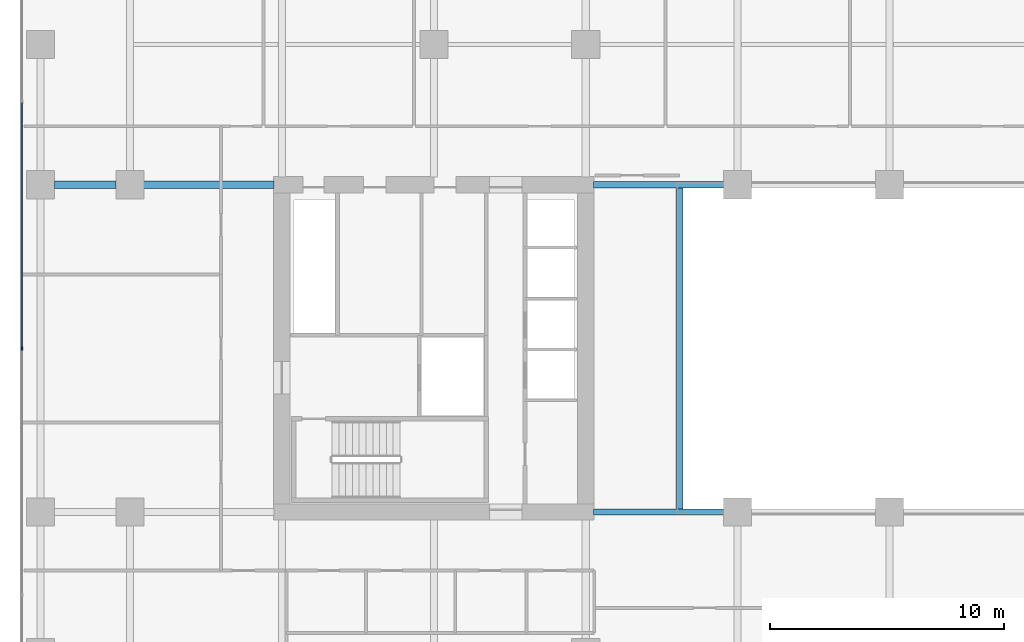
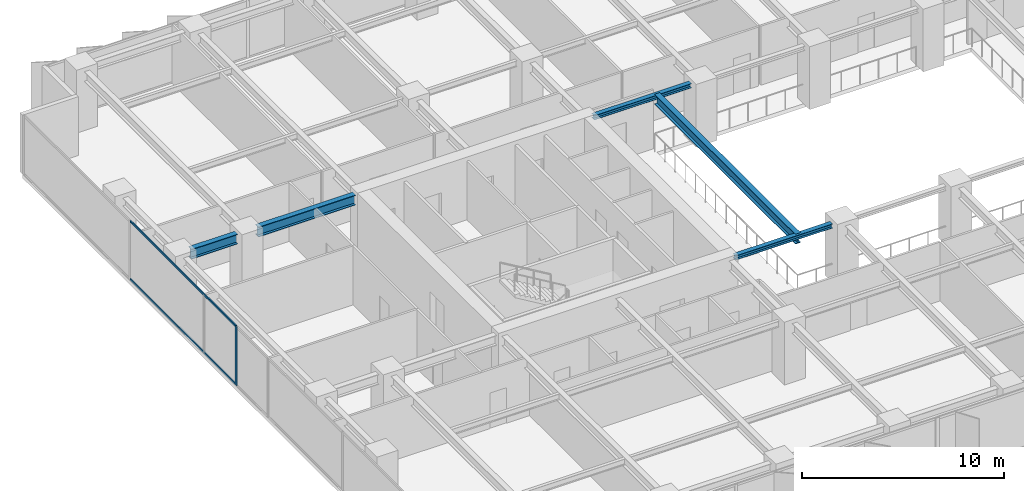
# One storey, part 4 of 20: 5 beams, 3 members, 1 element without a shape of its own.
"""IFC4 building model written with IfcOpenShell, lengths in metres."""

import ifcopenshell
import ifcopenshell.guid

model = None  # the IFC model being written
_history = None  # IfcOwnerHistory: only IFC2X3 demands one
_inside = {}  # id of a spatial element -> (the spatial element, [elements in it])
_under = {}  # id of a project, library or spatial element -> (it, [spatial elements below it])
_declared = {}  # id of a project -> (the project, [libraries it declares])
_typed = {}  # id of a type object -> (the type object, [elements of that type])
_made_of = {}  # id of a material, layer set ... -> (it, [elements and type objects made of it])


def new_model(schema):
    """Start an empty IFC model of exactly this schema.

    Asked for "IFC4X3", IfcOpenShell would pick the latest addendum, in which some entities
    have other attributes; the version numbers below select the first issue.
    IFC2X3 requires an IfcOwnerHistory on every rooted entity: one is made here for all.
    """
    global model, _history
    if schema == "IFC4X3":
        model = ifcopenshell.file(schema_version=(4, 3, 0, 0))
    else:
        model = ifcopenshell.file(schema=schema)
    _inside.clear()
    _under.clear()
    _declared.clear()
    _typed.clear()
    _made_of.clear()
    _history = None
    if model.schema == "IFC2X3":
        org = make("IfcOrganization", Name="unknown")
        user = make(
            "IfcPersonAndOrganization",
            ThePerson=make("IfcPerson", FamilyName="unknown"),
            TheOrganization=org,
        )
        app = make(
            "IfcApplication",
            ApplicationDeveloper=org,
            Version="unknown",
            ApplicationFullName="unknown",
            ApplicationIdentifier="unknown",
        )
        _history = make(
            "IfcOwnerHistory",
            OwningUser=user,
            OwningApplication=app,
            ChangeAction="ADDED",
            CreationDate=0,
        )
    return model


def make(cls, **values):
    """One entity of the class cls with the attributes given. An attribute that is None is left unset."""
    return model.create_entity(
        cls, **{name: value for name, value in values.items() if value is not None}
    )


def rooted(cls, **values):
    """An entity with a GlobalId (a new one), such as an element, a storey or a relation."""
    return make(cls, GlobalId=ifcopenshell.guid.new(), OwnerHistory=_history, **values)


def si_unit(unit_type, name, prefix=None):
    """IfcSIUnit, for example si_unit("LENGTHUNIT", "METRE", prefix="MILLI")."""
    return make("IfcSIUnit", UnitType=unit_type, Prefix=prefix, Name=name)


def assignment(units):
    """IfcUnitAssignment: the units of a project."""
    return None if units is None else make("IfcUnitAssignment", Units=units)


def point(xyz):
    """IfcCartesianPoint."""
    return None if xyz is None else make("IfcCartesianPoint", Coordinates=xyz)


def direction(xyz):
    """IfcDirection."""
    return None if xyz is None else make("IfcDirection", DirectionRatios=xyz)


def frame(location, z_axis=None, x_axis=None):
    """IfcAxis2Placement3D, a coordinate frame: its origin and axes. An axis left out is left unset."""
    return make(
        "IfcAxis2Placement3D",
        Location=point(location),
        Axis=direction(z_axis),
        RefDirection=direction(x_axis),
    )


def frame_2d(location, x_axis=None):
    """IfcAxis2Placement2D, a coordinate frame in the plane: its origin and x axis."""
    return make(
        "IfcAxis2Placement2D", Location=point(location), RefDirection=direction(x_axis)
    )


def origin():
    """The frame at (0, 0, 0) with its axes left unset."""
    return frame((0.0, 0.0, 0.0))


def origin_2d():
    """The frame at (0, 0) in the plane with its x axis left unset."""
    return frame_2d((0.0, 0.0))


def place(relative_to, where):
    """IfcLocalPlacement: puts the frame where relative to a parent placement (None: the world)."""
    return make(
        "IfcLocalPlacement", PlacementRelTo=relative_to, RelativePlacement=where
    )


def context(
    kind, dimensions, precision=None, world=None, true_north=None, identifier=None
):
    """IfcGeometricRepresentationContext, for example the 3D "Model" context."""
    return make(
        "IfcGeometricRepresentationContext",
        ContextIdentifier=identifier,
        ContextType=kind,
        CoordinateSpaceDimension=dimensions,
        Precision=precision,
        WorldCoordinateSystem=world,
        TrueNorth=true_north,
    )


def subcontext(parent, identifier, kind, view, scale=None):
    """IfcGeometricRepresentationSubContext, for example "Body" below "Model"."""
    return make(
        "IfcGeometricRepresentationSubContext",
        ContextIdentifier=identifier,
        ContextType=kind,
        ParentContext=parent,
        TargetScale=scale,
        TargetView=view,
    )


def project(units=None, contexts=None):
    """IfcProject with its units and contexts."""
    return rooted(
        "IfcProject",
        Name="project",
        RepresentationContexts=contexts,
        UnitsInContext=assignment(units),
    )


def spatial(cls, under=None, at=None, **own):
    """A site, building, storey or space (cls), placed at a placement, below another one or the project."""
    s = rooted(cls, ObjectPlacement=at, **own)
    if under is not None:
        _under.setdefault(under.id(), (under, []))[1].append(s)
    return s


def profile(cls, at=None, kind="AREA", **sizes):
    """A parametric profile (cls). Its sizes go by their IFC names, for example OverallWidth=200.0."""
    return make(cls, ProfileType=kind, Position=at, **sizes)


def rectangle(**sizes):
    """IfcRectangleProfileDef."""
    return profile("IfcRectangleProfileDef", **sizes)


def i_section(**sizes):
    """IfcIShapeProfileDef."""
    return profile("IfcIShapeProfileDef", **sizes)


def extrude(swept, where, along, depth):
    """IfcExtrudedAreaSolid: the profile swept, set in the frame where, extruded along a direction by depth."""
    return make(
        "IfcExtrudedAreaSolid",
        SweptArea=swept,
        Position=where,
        ExtrudedDirection=direction(along),
        Depth=depth,
    )


def shape(context_of_items, identifier, shape_type, items):
    """IfcShapeRepresentation: the items that make up one representation, for example the "Body"."""
    return make(
        "IfcShapeRepresentation",
        ContextOfItems=context_of_items,
        RepresentationIdentifier=identifier,
        RepresentationType=shape_type,
        Items=items,
    )


def material(Name=None, Category=None):
    """IfcMaterial."""
    return make("IfcMaterial", Name=Name, Category=Category)


def layer(
    of_material, thickness, ventilated=None, Name=None, Category=None, Priority=None
):
    """IfcMaterialLayer: one layer of a wall or slab, of a material (None: an air gap)."""
    return make(
        "IfcMaterialLayer",
        Material=of_material,
        LayerThickness=thickness,
        IsVentilated=ventilated,
        Name=Name,
        Category=Category,
        Priority=Priority,
    )


def layer_set(layers, Name=None):
    """IfcMaterialLayerSet."""
    return make("IfcMaterialLayerSet", MaterialLayers=layers, LayerSetName=Name)


def material_profile(
    of_material, cross_section, Name=None, Category=None, Priority=None
):
    """IfcMaterialProfile: a cross section and its material."""
    return make(
        "IfcMaterialProfile",
        Name=Name,
        Material=of_material,
        Profile=cross_section,
        Priority=Priority,
        Category=Category,
    )


def profile_set(profiles, Name=None, composite=None):
    """IfcMaterialProfileSet."""
    return make(
        "IfcMaterialProfileSet",
        Name=Name,
        MaterialProfiles=profiles,
        CompositeProfile=composite,
    )


def made_of(thing, what):
    """Note that an element or type object is made of a material, layer set ...; save() writes the relation."""
    if what is not None:
        _made_of.setdefault(what.id(), (what, []))[1].append(thing)
    return thing


def type_object(cls, material=None, **own):
    """A type object (cls), such as IfcWallType, which elements share."""
    return made_of(rooted(cls, **own), material)


def element(
    cls,
    number,
    at=None,
    inside=None,
    cuts=None,
    type_object=None,
    material=None,
    context=None,
    identifier="Body",
    shape_type=None,
    held_by="IfcProductDefinitionShape",
    body=None,
    shapes=None,
    **own,
):
    """One element of the class cls, such as IfcWall. Its Tag is "e" and its number.

    at: its placement. inside: the storey or other place that contains it. cuts: it is an
    opening in that element (IfcRelVoidsElement). A single representation is given by context,
    identifier, shape_type and body (its items); several are given by shapes. held_by: the class
    of the entity that holds the representations. save() writes the other relations.
    """
    e = rooted(cls, Tag="e%d" % number, ObjectPlacement=at, **own)
    if body is not None:
        shapes = [shape(context, identifier, shape_type, body)]
    if shapes is not None:
        e.Representation = make(held_by, Representations=shapes)
    if inside is not None:
        _inside.setdefault(inside.id(), (inside, []))[1].append(e)
    if cuts is not None:
        rooted(
            "IfcRelVoidsElement", RelatingBuildingElement=cuts, RelatedOpeningElement=e
        )
    if type_object is not None:
        _typed.setdefault(type_object.id(), (type_object, []))[1].append(e)
    return made_of(e, material)


def aggregate(whole, parts):
    """IfcRelAggregates: a whole, such as a stair, and the parts it consists of."""
    return rooted("IfcRelAggregates", RelatingObject=whole, RelatedObjects=parts)


def save(model, path):
    """Write the relations noted so far, then the file.

    IfcRelAggregates (storeys below a building ...), IfcRelContainedInSpatialStructure (elements
    in a storey), IfcRelDefinesByType, IfcRelAssociatesMaterial and IfcRelDeclares: one each for
    every whole, place, type object, material and project.
    """
    for whole, parts in _under.values():
        aggregate(whole, parts)
    for where, things in _inside.values():
        rooted(
            "IfcRelContainedInSpatialStructure",
            RelatedElements=things,
            RelatingStructure=where,
        )
    for kind, things in _typed.values():
        rooted("IfcRelDefinesByType", RelatedObjects=things, RelatingType=kind)
    for what, things in _made_of.values():
        rooted("IfcRelAssociatesMaterial", RelatedObjects=things, RelatingMaterial=what)
    for by, libraries in _declared.values():
        rooted("IfcRelDeclares", RelatingContext=by, RelatedDefinitions=libraries)
    model.write(path)


model = new_model("IFC4")

# Units and contexts
model_context = context("Model", 3, precision=1e-05, world=origin(), true_north=direction((0.0, 1.0)))
body_context = subcontext(model_context, "Body", "Model", "MODEL_VIEW")
ifc_project = project(units=[si_unit("LENGTHUNIT", "METRE"), si_unit("AREAUNIT", "SQUARE_METRE"), si_unit("VOLUMEUNIT", "CUBIC_METRE"), si_unit("PLANEANGLEUNIT", "RADIAN"), si_unit("MASSUNIT", "GRAM", prefix="KILO")], contexts=[model_context])

# Site, building, storey
site_placement = place(None, origin())
site = spatial("IfcSite", under=ifc_project, at=site_placement, CompositionType="ELEMENT")
building_placement = place(site_placement, origin())
building = spatial("IfcBuilding", under=site, at=building_placement, Name="Putna Gate Headquarters", CompositionType="ELEMENT")
storey_placement = place(building_placement, frame((0.0, 0.0, 120.199951171875)))
storey = spatial("IfcBuildingStorey", under=building, at=storey_placement, Name="L29", CompositionType="ELEMENT", Elevation=120.199951171875)

# Beams
ifc_material_1 = material(Name="Steel S355J2", Category="steel")
ifc_material_profile_1 = material_profile(ifc_material_1, i_section(OverallWidth=0.260009765625, OverallDepth=0.260009765625, WebThickness=0.010009765625, FlangeThickness=0.017578125, at=origin_2d()), Name="Steel S355J2")
ifc_profile_set_1 = profile_set([ifc_material_profile_1], Name="Steel S355J2")
beam_type_1 = type_object("IfcBeamType", Name="BM-ATRIUM-HEB260", PredefinedType="BEAM", material=ifc_profile_set_1)
for number, where, z_axis, x_axis, name in (
    (1, (26.3349609375, 19.0, 3.43505859375), (1.0, 0.0, 0.0), (0.0, 1.0, 0.0), "L29 Atrium Edge Beam AS1"),
    (2, (26.3349609375, 33.0, 3.43505859375), (1.0, 0.0, 0.0), (0.0, 1.0, 0.0), "L29 Atrium Edge Beam AN1"),
):
    element("IfcBeam", number, at=place(storey_placement, frame(where, z_axis=z_axis, x_axis=x_axis)), inside=storey, type_object=beam_type_1, Name=name, PredefinedType="BEAM", context=body_context, shape_type="SweptSolid", body=[
        extrude(i_section(OverallWidth=0.260009765625, OverallDepth=0.260009765625, WebThickness=0.010009765625, FlangeThickness=0.017578125, at=origin_2d()), origin(), (0.0, 0.0, 1.0), 5.5771484375),
    ])
ifc_material_profile_2 = material_profile(ifc_material_1, i_section(OverallWidth=0.300048828125, OverallDepth=0.60009765625, WebThickness=0.015380859375, FlangeThickness=0.030029296875, at=origin_2d()), Name="Steel S355J2")
ifc_profile_set_2 = profile_set([ifc_material_profile_2], Name="Steel S355J2")
beam_type_2 = type_object("IfcBeamType", Name="BM-GIRD-Z2-HEB600", PredefinedType="USERDEFINED", material=ifc_profile_set_2)
beam_1_placement = place(storey_placement, frame((3.26806640625, 33.0, 3.26513671875), z_axis=(1.0, 0.0, 0.0), x_axis=(0.0, 1.0, 0.0)))
element("IfcBeam", 3, at=beam_1_placement, inside=storey, type_object=beam_type_2, Name="L29 West Wing Girder Y33-1", ObjectType="GIRDER", PredefinedType="USERDEFINED", context=body_context, shape_type="SweptSolid", body=[
    extrude(i_section(OverallWidth=0.300048828125, OverallDepth=0.60009765625, WebThickness=0.015380859375, FlangeThickness=0.030029296875, at=origin_2d()), origin(), (0.0, 0.0, 1.0), 2.64404296875),
])
beam_2_placement = place(storey_placement, frame((7.087890625, 33.0, 3.26513671875), z_axis=(1.0, 0.0, 0.0), x_axis=(0.0, 1.0, 0.0)))
element("IfcBeam", 4, at=beam_2_placement, inside=storey, type_object=beam_type_2, Name="L29 West Wing Girder Y33-2", ObjectType="GIRDER", PredefinedType="USERDEFINED", context=body_context, shape_type="SweptSolid", body=[
    extrude(i_section(OverallWidth=0.300048828125, OverallDepth=0.60009765625, WebThickness=0.015380859375, FlangeThickness=0.030029296875, at=origin_2d()), origin(), (0.0, 0.0, 1.0), 5.5771484375),
])
beam_3_placement = place(storey_placement, frame((30.0, 19.010009765625, 3.26513671875), z_axis=(0.0, 1.0, 0.0), x_axis=(-1.0, 0.0, 0.0)))
element("IfcBeam", 5, at=beam_3_placement, inside=storey, type_object=beam_type_2, Name="L29 Atrium Trim Girder AW", ObjectType="GIRDER", PredefinedType="USERDEFINED", context=body_context, shape_type="SweptSolid", body=[
    extrude(i_section(OverallWidth=0.300048828125, OverallDepth=0.60009765625, WebThickness=0.015380859375, FlangeThickness=0.030029296875, at=origin_2d()), origin(), (0.0, 0.0, 1.0), 13.97998046875),
])

# Curtain wall, members
ifc_material_2 = material(Name="Anodised bronze aluminium curtain wall", Category="aluminium")
ifc_layer = layer(ifc_material_2, 0.159912109375)
ifc_layer_set = layer_set([ifc_layer], Name="Anodised bronze aluminium curtain wall")
curtain_wall_type = type_object("IfcCurtainWallType", Name="CW-SYS-Z2", PredefinedType="USERDEFINED", material=ifc_layer_set)
curtain_wall_placement = place(storey_placement, origin())
curtain_wall = element("IfcCurtainWall", 6, at=curtain_wall_placement, inside=storey, type_object=curtain_wall_type, Name="L29 West Curtain Wall", ObjectType="STICK CURTAIN WALL", PredefinedType="USERDEFINED")
ifc_material_3 = material(Name="Anodised bronze aluminium EN AW-6060", Category="aluminium")
ifc_material_profile_3 = material_profile(ifc_material_3, rectangle(XDim=0.06494140625, YDim=0.159912109375, at=origin_2d()), Name="Anodised bronze aluminium EN AW-6060")
ifc_profile_set_3 = profile_set([ifc_material_profile_3], Name="Anodised bronze aluminium EN AW-6060")
member_type_1 = type_object("IfcMemberType", Name="MULL-CWM-2", PredefinedType="MULLION", material=ifc_profile_set_3)
member_1_placement = place(storey_placement, frame((1.8798828125, 26.0, 0.0), z_axis=(0.0, 0.0, 1.0), x_axis=(-1.0, 0.0, 0.0)))
member_1 = element("IfcMember", 7, at=member_1_placement, type_object=member_type_1, Name="CWS-2 mullion 3", PredefinedType="MULLION", context=body_context, shape_type="SweptSolid", body=[
    extrude(rectangle(XDim=0.06494140625, YDim=0.159912109375, at=origin_2d()), origin(), (0.0, 0.0, 1.0), 3.56494140625),
])
ifc_material_profile_4 = material_profile(ifc_material_3, rectangle(XDim=0.06494140625, YDim=0.1201171875, at=origin_2d()), Name="Anodised bronze aluminium EN AW-6060")
ifc_profile_set_4 = profile_set([ifc_material_profile_4], Name="Anodised bronze aluminium EN AW-6060")
member_type_2 = type_object("IfcMemberType", Name="TRAN-CWT-2", PredefinedType="USERDEFINED", material=ifc_profile_set_4)
member_2_placement = place(storey_placement, frame((1.8798828125, 26.032470703125, 0.032470703125), z_axis=(0.0, 1.0, 0.0), x_axis=(-1.0, 0.0, 0.0)))
member_2 = element("IfcMember", 8, at=member_2_placement, type_object=member_type_2, Name="CWS-2 transom 3.1", ObjectType="TRANSOM", PredefinedType="USERDEFINED", context=body_context, shape_type="SweptSolid", body=[
    extrude(rectangle(XDim=0.06494140625, YDim=0.1201171875, at=origin_2d()), origin(), (0.0, 0.0, 1.0), 10.485107421875),
])
member_3_placement = place(storey_placement, frame((1.8798828125, 26.032470703125, 3.532470703125), z_axis=(0.0, 1.0, 0.0), x_axis=(-1.0, 0.0, 0.0)))
member_3 = element("IfcMember", 9, at=member_3_placement, type_object=member_type_2, Name="CWS-2 transom 3.2", ObjectType="TRANSOM", PredefinedType="USERDEFINED", context=body_context, shape_type="SweptSolid", body=[
    extrude(rectangle(XDim=0.06494140625, YDim=0.1201171875, at=origin_2d()), origin(), (0.0, 0.0, 1.0), 10.485107421875),
])
aggregate(curtain_wall, [member_1, member_2, member_3])

save(model, "model.ifc")
